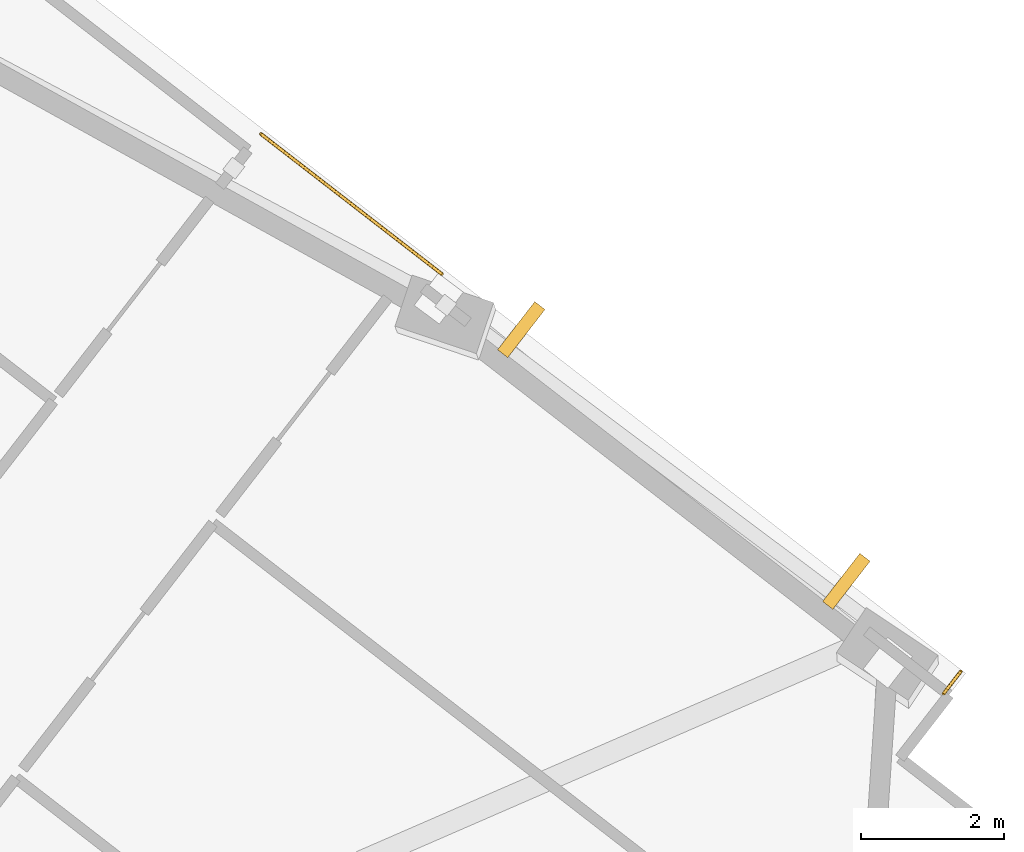
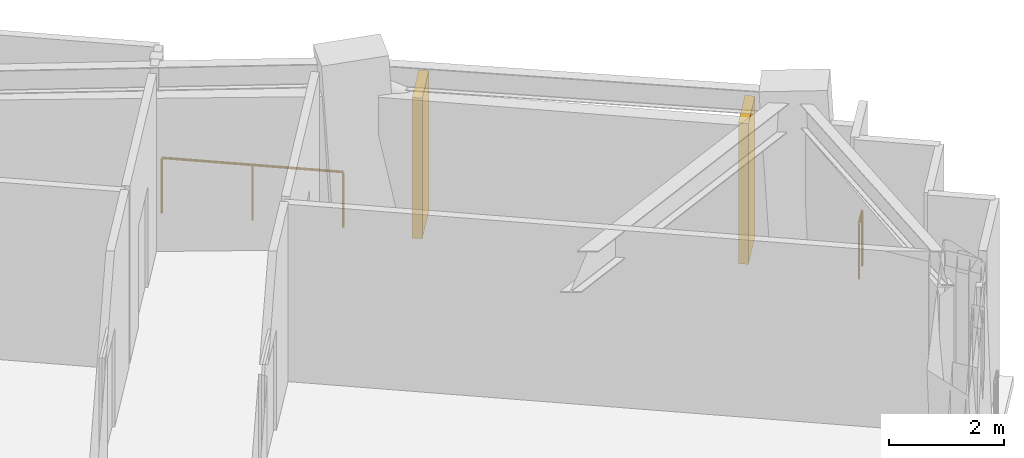
# One storey, part 12 of 12: 2 railings, 2 shading devices.
"""IFC4 building model written with IfcOpenShell, lengths in metres."""

import ifcopenshell
import ifcopenshell.guid

model = None  # the IFC model being written
_history = None  # IfcOwnerHistory: only IFC2X3 demands one
_inside = {}  # id of a spatial element -> (the spatial element, [elements in it])
_under = {}  # id of a project, library or spatial element -> (it, [spatial elements below it])
_declared = {}  # id of a project -> (the project, [libraries it declares])
_typed = {}  # id of a type object -> (the type object, [elements of that type])
_made_of = {}  # id of a material, layer set ... -> (it, [elements and type objects made of it])


def new_model(schema):
    """Start an empty IFC model of exactly this schema.

    Asked for "IFC4X3", IfcOpenShell would pick the latest addendum, in which some entities
    have other attributes; the version numbers below select the first issue.
    IFC2X3 requires an IfcOwnerHistory on every rooted entity: one is made here for all.
    """
    global model, _history
    if schema == "IFC4X3":
        model = ifcopenshell.file(schema_version=(4, 3, 0, 0))
    else:
        model = ifcopenshell.file(schema=schema)
    _inside.clear()
    _under.clear()
    _declared.clear()
    _typed.clear()
    _made_of.clear()
    _history = None
    if model.schema == "IFC2X3":
        org = make("IfcOrganization", Name="unknown")
        user = make(
            "IfcPersonAndOrganization",
            ThePerson=make("IfcPerson", FamilyName="unknown"),
            TheOrganization=org,
        )
        app = make(
            "IfcApplication",
            ApplicationDeveloper=org,
            Version="unknown",
            ApplicationFullName="unknown",
            ApplicationIdentifier="unknown",
        )
        _history = make(
            "IfcOwnerHistory",
            OwningUser=user,
            OwningApplication=app,
            ChangeAction="ADDED",
            CreationDate=0,
        )
    return model


def make(cls, **values):
    """One entity of the class cls with the attributes given. An attribute that is None is left unset."""
    return model.create_entity(
        cls, **{name: value for name, value in values.items() if value is not None}
    )


def rooted(cls, **values):
    """An entity with a GlobalId (a new one), such as an element, a storey or a relation."""
    return make(cls, GlobalId=ifcopenshell.guid.new(), OwnerHistory=_history, **values)


def si_unit(unit_type, name, prefix=None):
    """IfcSIUnit, for example si_unit("LENGTHUNIT", "METRE", prefix="MILLI")."""
    return make("IfcSIUnit", UnitType=unit_type, Prefix=prefix, Name=name)


def assignment(units):
    """IfcUnitAssignment: the units of a project."""
    return None if units is None else make("IfcUnitAssignment", Units=units)


def point(xyz):
    """IfcCartesianPoint."""
    return None if xyz is None else make("IfcCartesianPoint", Coordinates=xyz)


def direction(xyz):
    """IfcDirection."""
    return None if xyz is None else make("IfcDirection", DirectionRatios=xyz)


def frame(location, z_axis=None, x_axis=None):
    """IfcAxis2Placement3D, a coordinate frame: its origin and axes. An axis left out is left unset."""
    return make(
        "IfcAxis2Placement3D",
        Location=point(location),
        Axis=direction(z_axis),
        RefDirection=direction(x_axis),
    )


def frame_2d(location, x_axis=None):
    """IfcAxis2Placement2D, a coordinate frame in the plane: its origin and x axis."""
    return make(
        "IfcAxis2Placement2D", Location=point(location), RefDirection=direction(x_axis)
    )


def origin():
    """The frame at (0, 0, 0) with its axes left unset."""
    return frame((0.0, 0.0, 0.0))


def origin_2d():
    """The frame at (0, 0) in the plane with its x axis left unset."""
    return frame_2d((0.0, 0.0))


def place(relative_to, where):
    """IfcLocalPlacement: puts the frame where relative to a parent placement (None: the world)."""
    return make(
        "IfcLocalPlacement", PlacementRelTo=relative_to, RelativePlacement=where
    )


def context(
    kind, dimensions, precision=None, world=None, true_north=None, identifier=None
):
    """IfcGeometricRepresentationContext, for example the 3D "Model" context."""
    return make(
        "IfcGeometricRepresentationContext",
        ContextIdentifier=identifier,
        ContextType=kind,
        CoordinateSpaceDimension=dimensions,
        Precision=precision,
        WorldCoordinateSystem=world,
        TrueNorth=true_north,
    )


def subcontext(parent, identifier, kind, view, scale=None):
    """IfcGeometricRepresentationSubContext, for example "Body" below "Model"."""
    return make(
        "IfcGeometricRepresentationSubContext",
        ContextIdentifier=identifier,
        ContextType=kind,
        ParentContext=parent,
        TargetScale=scale,
        TargetView=view,
    )


def project(units=None, contexts=None):
    """IfcProject with its units and contexts."""
    return rooted(
        "IfcProject",
        Name="project",
        RepresentationContexts=contexts,
        UnitsInContext=assignment(units),
    )


def spatial(cls, under=None, at=None, **own):
    """A site, building, storey or space (cls), placed at a placement, below another one or the project."""
    s = rooted(cls, ObjectPlacement=at, **own)
    if under is not None:
        _under.setdefault(under.id(), (under, []))[1].append(s)
    return s


def profile(cls, at=None, kind="AREA", **sizes):
    """A parametric profile (cls). Its sizes go by their IFC names, for example OverallWidth=200.0."""
    return make(cls, ProfileType=kind, Position=at, **sizes)


def rectangle(**sizes):
    """IfcRectangleProfileDef."""
    return profile("IfcRectangleProfileDef", **sizes)


def circle(**sizes):
    """IfcCircleProfileDef."""
    return profile("IfcCircleProfileDef", **sizes)


def extrude(swept, where, along, depth):
    """IfcExtrudedAreaSolid: the profile swept, set in the frame where, extruded along a direction by depth."""
    return make(
        "IfcExtrudedAreaSolid",
        SweptArea=swept,
        Position=where,
        ExtrudedDirection=direction(along),
        Depth=depth,
    )


def shape(context_of_items, identifier, shape_type, items):
    """IfcShapeRepresentation: the items that make up one representation, for example the "Body"."""
    return make(
        "IfcShapeRepresentation",
        ContextOfItems=context_of_items,
        RepresentationIdentifier=identifier,
        RepresentationType=shape_type,
        Items=items,
    )


def material(Name=None, Category=None):
    """IfcMaterial."""
    return make("IfcMaterial", Name=Name, Category=Category)


def layer(
    of_material, thickness, ventilated=None, Name=None, Category=None, Priority=None
):
    """IfcMaterialLayer: one layer of a wall or slab, of a material (None: an air gap)."""
    return make(
        "IfcMaterialLayer",
        Material=of_material,
        LayerThickness=thickness,
        IsVentilated=ventilated,
        Name=Name,
        Category=Category,
        Priority=Priority,
    )


def layer_set(layers, Name=None):
    """IfcMaterialLayerSet."""
    return make("IfcMaterialLayerSet", MaterialLayers=layers, LayerSetName=Name)


def made_of(thing, what):
    """Note that an element or type object is made of a material, layer set ...; save() writes the relation."""
    if what is not None:
        _made_of.setdefault(what.id(), (what, []))[1].append(thing)
    return thing


def type_object(cls, material=None, **own):
    """A type object (cls), such as IfcWallType, which elements share."""
    return made_of(rooted(cls, **own), material)


def element(
    cls,
    number,
    at=None,
    inside=None,
    cuts=None,
    type_object=None,
    material=None,
    context=None,
    identifier="Body",
    shape_type=None,
    held_by="IfcProductDefinitionShape",
    body=None,
    shapes=None,
    **own,
):
    """One element of the class cls, such as IfcWall. Its Tag is "e" and its number.

    at: its placement. inside: the storey or other place that contains it. cuts: it is an
    opening in that element (IfcRelVoidsElement). A single representation is given by context,
    identifier, shape_type and body (its items); several are given by shapes. held_by: the class
    of the entity that holds the representations. save() writes the other relations.
    """
    e = rooted(cls, Tag="e%d" % number, ObjectPlacement=at, **own)
    if body is not None:
        shapes = [shape(context, identifier, shape_type, body)]
    if shapes is not None:
        e.Representation = make(held_by, Representations=shapes)
    if inside is not None:
        _inside.setdefault(inside.id(), (inside, []))[1].append(e)
    if cuts is not None:
        rooted(
            "IfcRelVoidsElement", RelatingBuildingElement=cuts, RelatedOpeningElement=e
        )
    if type_object is not None:
        _typed.setdefault(type_object.id(), (type_object, []))[1].append(e)
    return made_of(e, material)


def aggregate(whole, parts):
    """IfcRelAggregates: a whole, such as a stair, and the parts it consists of."""
    return rooted("IfcRelAggregates", RelatingObject=whole, RelatedObjects=parts)


def save(model, path):
    """Write the relations noted so far, then the file.

    IfcRelAggregates (storeys below a building ...), IfcRelContainedInSpatialStructure (elements
    in a storey), IfcRelDefinesByType, IfcRelAssociatesMaterial and IfcRelDeclares: one each for
    every whole, place, type object, material and project.
    """
    for whole, parts in _under.values():
        aggregate(whole, parts)
    for where, things in _inside.values():
        rooted(
            "IfcRelContainedInSpatialStructure",
            RelatedElements=things,
            RelatingStructure=where,
        )
    for kind, things in _typed.values():
        rooted("IfcRelDefinesByType", RelatedObjects=things, RelatingType=kind)
    for what, things in _made_of.values():
        rooted("IfcRelAssociatesMaterial", RelatedObjects=things, RelatingMaterial=what)
    for by, libraries in _declared.values():
        rooted("IfcRelDeclares", RelatingContext=by, RelatedDefinitions=libraries)
    model.write(path)


model = new_model("IFC4")

# Units and contexts
model_context = context("Model", 3, precision=1e-05, world=origin(), true_north=direction((0.0, 1.0)))
body_context = subcontext(model_context, "Body", "Model", "MODEL_VIEW")
ifc_project = project(units=[si_unit("LENGTHUNIT", "METRE"), si_unit("AREAUNIT", "SQUARE_METRE"), si_unit("VOLUMEUNIT", "CUBIC_METRE"), si_unit("PLANEANGLEUNIT", "RADIAN"), si_unit("MASSUNIT", "GRAM", prefix="KILO")], contexts=[model_context])

# Site, building, storey
site_placement = place(None, origin())
site = spatial("IfcSite", under=ifc_project, at=site_placement, CompositionType="ELEMENT")
building_placement = place(site_placement, origin())
building = spatial("IfcBuilding", under=site, at=building_placement, Name="Gaonmaruhae Medical Tower", CompositionType="ELEMENT")
storey_placement = place(building_placement, frame((0.0, 0.0, 247.199951171875)))
storey = spatial("IfcBuildingStorey", under=building, at=storey_placement, Name="L59", CompositionType="ELEMENT", Elevation=247.199951171875)

# Railings
ifc_material_1 = material(Name="Stainless steel 316L and laminated safety glass", Category="steel")
ifc_layer = layer(ifc_material_1, 0.080078125)
ifc_layer_set = layer_set([ifc_layer], Name="Stainless steel 316L and laminated safety glass")
railing_type = type_object("IfcRailingType", Name="GD-120 Outdoor Terrace Safety Glass & Steel Balustrade", PredefinedType="BALUSTRADE", material=ifc_layer_set)
railing_1_placement = place(storey_placement, frame((49.937255859375, 33.81494140625, 0.0)))
element("IfcRailing", 1, at=railing_1_placement, inside=storey, type_object=railing_type, Name="L59 Perimeter Slab Edge Safety Balustrade 04", PredefinedType="BALUSTRADE", context=body_context, shape_type="SweptSolid", body=[
    extrude(circle(Radius=0.02392578125, at=origin_2d()), frame((0.0, 0.0, 1.17578125), z_axis=(0.790683147702, -0.612225579293, 0.0), x_axis=(0.612225579293, 0.790683147702, 0.0)), (0.0, 0.0, 1.0), 3.19580078125),
    extrude(circle(Radius=0.02099609375, at=origin_2d()), origin(), (0.0, 0.0, 1.0), 1.15185546875),
    extrude(circle(Radius=0.02099609375, at=origin_2d()), frame((1.263427734375, -0.978271484375, 0.0)), (0.0, 0.0, 1.0), 1.15185546875),
    extrude(circle(Radius=0.02099609375, at=origin_2d()), frame((2.52685546875, -1.95654296875, 0.0)), (0.0, 0.0, 1.0), 1.15185546875),
])
railing_2_placement = place(storey_placement, frame((59.71826171875, 26.304931640625, 0.0)))
element("IfcRailing", 2, at=railing_2_placement, inside=storey, type_object=railing_type, Name="L59 Perimeter Slab Edge Safety Balustrade 05", PredefinedType="BALUSTRADE", context=body_context, shape_type="SweptSolid", body=[
    extrude(circle(Radius=0.02392578125, at=origin_2d()), frame((0.0, 0.0, 1.17578125), z_axis=(-0.612435974488, -0.79052019402, 0.0), x_axis=(0.79052019402, -0.612435974488, 0.0)), (0.0, 0.0, 1.0), 0.3935546875),
    extrude(circle(Radius=0.02099609375, at=origin_2d()), origin(), (0.0, 0.0, 1.0), 1.15185546875),
    extrude(circle(Radius=0.02099609375, at=origin_2d()), frame((-0.240966796875, -0.31103515625, 0.0)), (0.0, 0.0, 1.0), 1.15185546875),
])

# Shading devices
ifc_material_2 = material(Name="Pigmented coral precast concrete C45/55", Category="concrete")
shading_device_type = type_object("IfcShadingDeviceType", Name="SD-FIN1 Tower Vertical Coral Precast Shading Fin", PredefinedType="USERDEFINED", material=ifc_material_2)
for number, where, z_axis, x_axis, name in (
    (3, (53.574462890625, 31.080810546875, 0.132568359375), (0.0, 0.0, 1.0), (0.790689573744, -0.612217280034, 0.0), "L59 Vertical Coral Precast Shading Fin E01"),
    (4, (58.117919921875, 27.56298828125, 0.132568359375), (0.0, 0.0, 1.0), (0.790689573744, -0.612217280034, 0.0), "L59 Vertical Coral Precast Shading Fin E01B"),
):
    element("IfcShadingDevice", number, at=place(storey_placement, frame(where, z_axis=z_axis, x_axis=x_axis)), inside=storey, type_object=shading_device_type, Name=name, ObjectType="FIN", PredefinedType="USERDEFINED", context=body_context, shape_type="SweptSolid", body=[
        extrude(rectangle(XDim=0.179931640625, YDim=0.85009765625, at=origin_2d()), origin(), (0.0, 0.0, 1.0), 3.0),
    ])

save(model, "model.ifc")
